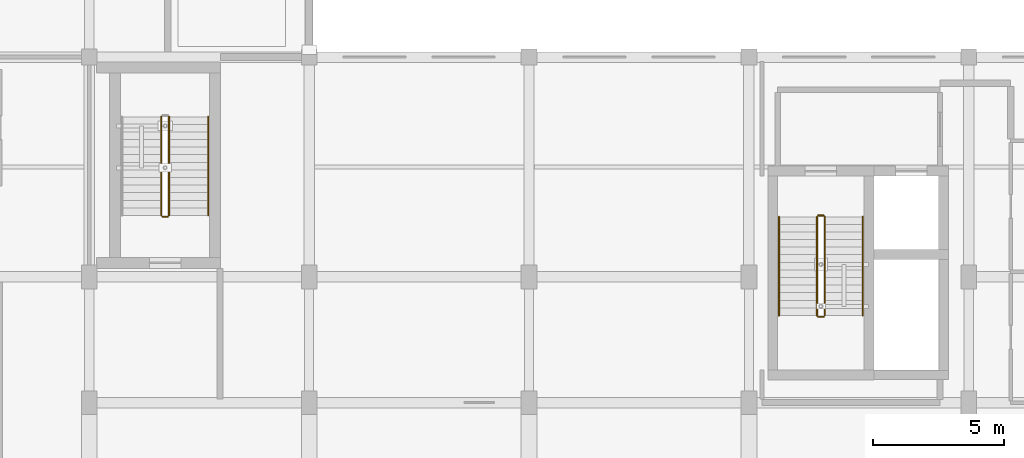
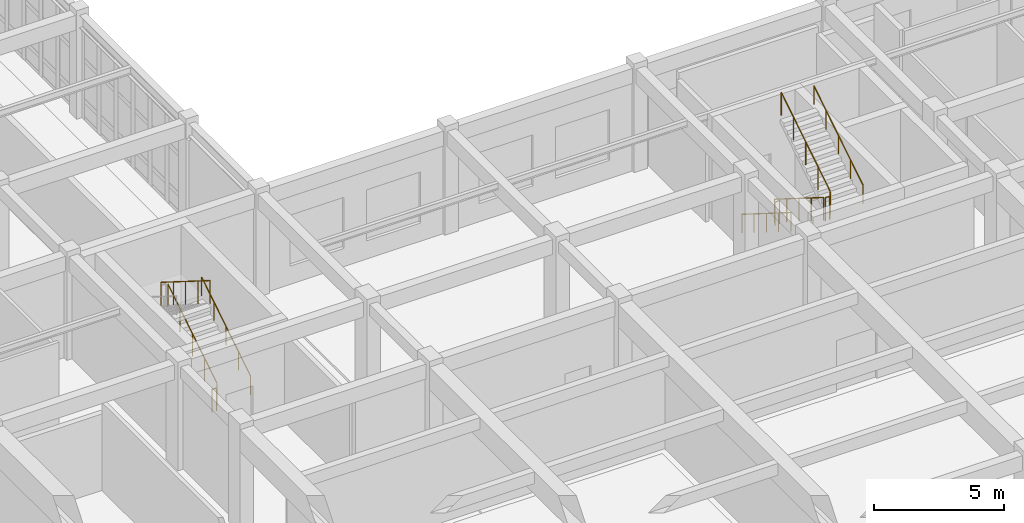
# One storey, part 71 of 77: 10 railings.
"""IFC4 building model written with IfcOpenShell, lengths in metres."""

import ifcopenshell
import ifcopenshell.guid

model = None  # the IFC model being written
_history = None  # IfcOwnerHistory: only IFC2X3 demands one
_inside = {}  # id of a spatial element -> (the spatial element, [elements in it])
_under = {}  # id of a project, library or spatial element -> (it, [spatial elements below it])
_declared = {}  # id of a project -> (the project, [libraries it declares])
_typed = {}  # id of a type object -> (the type object, [elements of that type])
_made_of = {}  # id of a material, layer set ... -> (it, [elements and type objects made of it])


def new_model(schema):
    """Start an empty IFC model of exactly this schema.

    Asked for "IFC4X3", IfcOpenShell would pick the latest addendum, in which some entities
    have other attributes; the version numbers below select the first issue.
    IFC2X3 requires an IfcOwnerHistory on every rooted entity: one is made here for all.
    """
    global model, _history
    if schema == "IFC4X3":
        model = ifcopenshell.file(schema_version=(4, 3, 0, 0))
    else:
        model = ifcopenshell.file(schema=schema)
    _inside.clear()
    _under.clear()
    _declared.clear()
    _typed.clear()
    _made_of.clear()
    _history = None
    if model.schema == "IFC2X3":
        org = make("IfcOrganization", Name="unknown")
        user = make(
            "IfcPersonAndOrganization",
            ThePerson=make("IfcPerson", FamilyName="unknown"),
            TheOrganization=org,
        )
        app = make(
            "IfcApplication",
            ApplicationDeveloper=org,
            Version="unknown",
            ApplicationFullName="unknown",
            ApplicationIdentifier="unknown",
        )
        _history = make(
            "IfcOwnerHistory",
            OwningUser=user,
            OwningApplication=app,
            ChangeAction="ADDED",
            CreationDate=0,
        )
    return model


def make(cls, **values):
    """One entity of the class cls with the attributes given. An attribute that is None is left unset."""
    return model.create_entity(
        cls, **{name: value for name, value in values.items() if value is not None}
    )


def rooted(cls, **values):
    """An entity with a GlobalId (a new one), such as an element, a storey or a relation."""
    return make(cls, GlobalId=ifcopenshell.guid.new(), OwnerHistory=_history, **values)


def si_unit(unit_type, name, prefix=None):
    """IfcSIUnit, for example si_unit("LENGTHUNIT", "METRE", prefix="MILLI")."""
    return make("IfcSIUnit", UnitType=unit_type, Prefix=prefix, Name=name)


def assignment(units):
    """IfcUnitAssignment: the units of a project."""
    return None if units is None else make("IfcUnitAssignment", Units=units)


def point(xyz):
    """IfcCartesianPoint."""
    return None if xyz is None else make("IfcCartesianPoint", Coordinates=xyz)


def direction(xyz):
    """IfcDirection."""
    return None if xyz is None else make("IfcDirection", DirectionRatios=xyz)


def frame(location, z_axis=None, x_axis=None):
    """IfcAxis2Placement3D, a coordinate frame: its origin and axes. An axis left out is left unset."""
    return make(
        "IfcAxis2Placement3D",
        Location=point(location),
        Axis=direction(z_axis),
        RefDirection=direction(x_axis),
    )


def frame_2d(location, x_axis=None):
    """IfcAxis2Placement2D, a coordinate frame in the plane: its origin and x axis."""
    return make(
        "IfcAxis2Placement2D", Location=point(location), RefDirection=direction(x_axis)
    )


def origin():
    """The frame at (0, 0, 0) with its axes left unset."""
    return frame((0.0, 0.0, 0.0))


def origin_2d():
    """The frame at (0, 0) in the plane with its x axis left unset."""
    return frame_2d((0.0, 0.0))


def place(relative_to, where):
    """IfcLocalPlacement: puts the frame where relative to a parent placement (None: the world)."""
    return make(
        "IfcLocalPlacement", PlacementRelTo=relative_to, RelativePlacement=where
    )


def context(
    kind, dimensions, precision=None, world=None, true_north=None, identifier=None
):
    """IfcGeometricRepresentationContext, for example the 3D "Model" context."""
    return make(
        "IfcGeometricRepresentationContext",
        ContextIdentifier=identifier,
        ContextType=kind,
        CoordinateSpaceDimension=dimensions,
        Precision=precision,
        WorldCoordinateSystem=world,
        TrueNorth=true_north,
    )


def subcontext(parent, identifier, kind, view, scale=None):
    """IfcGeometricRepresentationSubContext, for example "Body" below "Model"."""
    return make(
        "IfcGeometricRepresentationSubContext",
        ContextIdentifier=identifier,
        ContextType=kind,
        ParentContext=parent,
        TargetScale=scale,
        TargetView=view,
    )


def project(units=None, contexts=None):
    """IfcProject with its units and contexts."""
    return rooted(
        "IfcProject",
        Name="project",
        RepresentationContexts=contexts,
        UnitsInContext=assignment(units),
    )


def spatial(cls, under=None, at=None, **own):
    """A site, building, storey or space (cls), placed at a placement, below another one or the project."""
    s = rooted(cls, ObjectPlacement=at, **own)
    if under is not None:
        _under.setdefault(under.id(), (under, []))[1].append(s)
    return s


def profile(cls, at=None, kind="AREA", **sizes):
    """A parametric profile (cls). Its sizes go by their IFC names, for example OverallWidth=200.0."""
    return make(cls, ProfileType=kind, Position=at, **sizes)


def circle(**sizes):
    """IfcCircleProfileDef."""
    return profile("IfcCircleProfileDef", **sizes)


def extrude(swept, where, along, depth):
    """IfcExtrudedAreaSolid: the profile swept, set in the frame where, extruded along a direction by depth."""
    return make(
        "IfcExtrudedAreaSolid",
        SweptArea=swept,
        Position=where,
        ExtrudedDirection=direction(along),
        Depth=depth,
    )


def shape(context_of_items, identifier, shape_type, items):
    """IfcShapeRepresentation: the items that make up one representation, for example the "Body"."""
    return make(
        "IfcShapeRepresentation",
        ContextOfItems=context_of_items,
        RepresentationIdentifier=identifier,
        RepresentationType=shape_type,
        Items=items,
    )


def material(Name=None, Category=None):
    """IfcMaterial."""
    return make("IfcMaterial", Name=Name, Category=Category)


def made_of(thing, what):
    """Note that an element or type object is made of a material, layer set ...; save() writes the relation."""
    if what is not None:
        _made_of.setdefault(what.id(), (what, []))[1].append(thing)
    return thing


def type_object(cls, material=None, **own):
    """A type object (cls), such as IfcWallType, which elements share."""
    return made_of(rooted(cls, **own), material)


def element(
    cls,
    number,
    at=None,
    inside=None,
    cuts=None,
    type_object=None,
    material=None,
    context=None,
    identifier="Body",
    shape_type=None,
    held_by="IfcProductDefinitionShape",
    body=None,
    shapes=None,
    **own,
):
    """One element of the class cls, such as IfcWall. Its Tag is "e" and its number.

    at: its placement. inside: the storey or other place that contains it. cuts: it is an
    opening in that element (IfcRelVoidsElement). A single representation is given by context,
    identifier, shape_type and body (its items); several are given by shapes. held_by: the class
    of the entity that holds the representations. save() writes the other relations.
    """
    e = rooted(cls, Tag="e%d" % number, ObjectPlacement=at, **own)
    if body is not None:
        shapes = [shape(context, identifier, shape_type, body)]
    if shapes is not None:
        e.Representation = make(held_by, Representations=shapes)
    if inside is not None:
        _inside.setdefault(inside.id(), (inside, []))[1].append(e)
    if cuts is not None:
        rooted(
            "IfcRelVoidsElement", RelatingBuildingElement=cuts, RelatedOpeningElement=e
        )
    if type_object is not None:
        _typed.setdefault(type_object.id(), (type_object, []))[1].append(e)
    return made_of(e, material)


def aggregate(whole, parts):
    """IfcRelAggregates: a whole, such as a stair, and the parts it consists of."""
    return rooted("IfcRelAggregates", RelatingObject=whole, RelatedObjects=parts)


def save(model, path):
    """Write the relations noted so far, then the file.

    IfcRelAggregates (storeys below a building ...), IfcRelContainedInSpatialStructure (elements
    in a storey), IfcRelDefinesByType, IfcRelAssociatesMaterial and IfcRelDeclares: one each for
    every whole, place, type object, material and project.
    """
    for whole, parts in _under.values():
        aggregate(whole, parts)
    for where, things in _inside.values():
        rooted(
            "IfcRelContainedInSpatialStructure",
            RelatedElements=things,
            RelatingStructure=where,
        )
    for kind, things in _typed.values():
        rooted("IfcRelDefinesByType", RelatedObjects=things, RelatingType=kind)
    for what, things in _made_of.values():
        rooted("IfcRelAssociatesMaterial", RelatedObjects=things, RelatingMaterial=what)
    for by, libraries in _declared.values():
        rooted("IfcRelDeclares", RelatingContext=by, RelatedDefinitions=libraries)
    model.write(path)


model = new_model("IFC4")

# Units and contexts
model_context = context("Model", 3, precision=1e-05, world=origin(), true_north=direction((0.0, 1.0)))
body_context = subcontext(model_context, "Body", "Model", "MODEL_VIEW")
ifc_project = project(units=[si_unit("LENGTHUNIT", "METRE"), si_unit("AREAUNIT", "SQUARE_METRE"), si_unit("VOLUMEUNIT", "CUBIC_METRE"), si_unit("PLANEANGLEUNIT", "RADIAN"), si_unit("MASSUNIT", "GRAM", prefix="KILO")], contexts=[model_context])

# Site, building, storey
site_placement = place(None, origin())
site = spatial("IfcSite", under=ifc_project, at=site_placement, CompositionType="ELEMENT")
building_placement = place(site_placement, origin())
building = spatial("IfcBuilding", under=site, at=building_placement, Name="Krzemoval Escarpment Law Courts", CompositionType="ELEMENT")
storey_placement = place(building_placement, frame((0.0, 0.0, 15.300048828125)))
storey = spatial("IfcBuildingStorey", under=building, at=storey_placement, Name="L03", CompositionType="ELEMENT", Elevation=15.300048828125)

# Railings
ifc_material_1 = material(Name="Galvanised Steel S355", Category="steel")
railing_type_1 = type_object("IfcRailingType", Name="RL-GRD-1100", PredefinedType="GUARDRAIL", material=ifc_material_1)
railing_1_placement = place(storey_placement, frame((61.39990234375, 29.300048828125, 0.18212890625)))
element("IfcRailing", 1, at=railing_1_placement, inside=storey, type_object=railing_type_1, Name="L03 ST4 stair guard 1", PredefinedType="GUARDRAIL", context=body_context, shape_type="SweptSolid", body=[
    extrude(circle(Radius=0.02392578125, at=origin_2d()), frame((0.0, 0.0, 1.076171875), z_axis=(0.0, -0.846819337722, 0.53188063441), x_axis=(1.0, 0.0, 0.0)), (0.0, 0.0, 1.0), 4.451904296875),
    extrude(circle(Radius=0.02099609375, at=origin_2d()), origin(), (0.0, 0.0, 1.0), 1.052001953125),
    extrude(circle(Radius=0.02099609375, at=origin_2d()), frame((0.0, -0.9423828125, 0.592041015625)), (0.0, 0.0, 1.0), 1.052001953125),
    extrude(circle(Radius=0.02099609375, at=origin_2d()), frame((0.0, -1.885009765625, 1.18408203125)), (0.0, 0.0, 1.0), 1.052001953125),
    extrude(circle(Radius=0.02099609375, at=origin_2d()), frame((0.0, -2.82763671875, 1.77587890625)), (0.0, 0.0, 1.0), 1.052001953125),
    extrude(circle(Radius=0.02099609375, at=origin_2d()), frame((0.0, -3.77001953125, 2.367919921875)), (0.0, 0.0, 1.0), 1.052001953125),
])
railing_2_placement = place(storey_placement, frame((61.449951171875, 25.47998046875, 2.550048828125)))
element("IfcRailing", 2, at=railing_2_placement, inside=storey, type_object=railing_type_1, Name="L03 ST4 stair guard 2", PredefinedType="GUARDRAIL", context=body_context, shape_type="SweptSolid", body=[
    extrude(circle(Radius=0.02392578125, at=origin_2d()), frame((0.0, 0.0, 1.076171875), z_axis=(1.0, 0.0, 0.0), x_axis=(0.0, 1.0, 0.0)), (0.0, 0.0, 1.0), 0.199951171875),
    extrude(circle(Radius=0.02099609375, at=origin_2d()), origin(), (0.0, 0.0, 1.0), 1.052001953125),
    extrude(circle(Radius=0.02099609375, at=origin_2d()), frame((0.199951171875, 0.0, 0.0)), (0.0, 0.0, 1.0), 1.052001953125),
])
railing_3_placement = place(storey_placement, frame((61.699951171875, 25.530029296875, 2.732177734375)))
element("IfcRailing", 3, at=railing_3_placement, inside=storey, type_object=railing_type_1, Name="L03 ST4 stair guard 3", PredefinedType="GUARDRAIL", context=body_context, shape_type="SweptSolid", body=[
    extrude(circle(Radius=0.02392578125, at=origin_2d()), frame((0.0, 0.0, 1.076171875), z_axis=(0.0, 0.846844037257, 0.531841307688), x_axis=(-1.0, 0.0, 0.0)), (0.0, 0.0, 1.0), 4.451904296875),
    extrude(circle(Radius=0.02099609375, at=origin_2d()), origin(), (0.0, 0.0, 1.0), 1.052001953125),
    extrude(circle(Radius=0.02099609375, at=origin_2d()), frame((0.0, 0.9423828125, 0.591796875)), (0.0, 0.0, 1.0), 1.052001953125),
    extrude(circle(Radius=0.02099609375, at=origin_2d()), frame((0.0, 1.885009765625, 1.183837890625)), (0.0, 0.0, 1.0), 1.052001953125),
    extrude(circle(Radius=0.02099609375, at=origin_2d()), frame((0.0, 2.82763671875, 1.77587890625)), (0.0, 0.0, 1.0), 1.052001953125),
    extrude(circle(Radius=0.02099609375, at=origin_2d()), frame((0.0, 3.77001953125, 2.36767578125)), (0.0, 0.0, 1.0), 1.052001953125),
])
railing_4_placement = place(storey_placement, frame((61.449951171875, 29.35009765625, 0.0)))
element("IfcRailing", 4, at=railing_4_placement, inside=storey, type_object=railing_type_1, Name="L03 ST4 stair guard 4", PredefinedType="GUARDRAIL", context=body_context, shape_type="SweptSolid", body=[
    extrude(circle(Radius=0.02392578125, at=origin_2d()), frame((0.0, 0.0, 1.076171875), z_axis=(1.0, 0.0, 0.0), x_axis=(0.0, 1.0, 0.0)), (0.0, 0.0, 1.0), 0.199951171875),
    extrude(circle(Radius=0.02099609375, at=origin_2d()), origin(), (0.0, 0.0, 1.0), 1.052001953125),
    extrude(circle(Radius=0.02099609375, at=origin_2d()), frame((0.199951171875, 0.0, 0.0)), (0.0, 0.0, 1.0), 1.052001953125),
])
railing_5_placement = place(storey_placement, frame((36.64990234375, 29.35009765625, 0.18212890625)))
element("IfcRailing", 5, at=railing_5_placement, inside=storey, type_object=railing_type_1, Name="L03 ST9 stair guard 1", PredefinedType="GUARDRAIL", context=body_context, shape_type="SweptSolid", body=[
    extrude(circle(Radius=0.02392578125, at=origin_2d()), frame((0.0, 0.0, 1.076171875), z_axis=(0.0, 0.846819337722, 0.53188063441), x_axis=(-1.0, 0.0, 0.0)), (0.0, 0.0, 1.0), 4.451904296875),
    extrude(circle(Radius=0.02099609375, at=origin_2d()), origin(), (0.0, 0.0, 1.0), 1.052001953125),
    extrude(circle(Radius=0.02099609375, at=origin_2d()), frame((0.0, 0.9423828125, 0.592041015625)), (0.0, 0.0, 1.0), 1.052001953125),
    extrude(circle(Radius=0.02099609375, at=origin_2d()), frame((0.0, 1.885009765625, 1.18408203125)), (0.0, 0.0, 1.0), 1.052001953125),
    extrude(circle(Radius=0.02099609375, at=origin_2d()), frame((0.0, 2.82763671875, 1.77587890625)), (0.0, 0.0, 1.0), 1.052001953125),
    extrude(circle(Radius=0.02099609375, at=origin_2d()), frame((0.0, 3.77001953125, 2.367919921875)), (0.0, 0.0, 1.0), 1.052001953125),
])
railing_6_placement = place(storey_placement, frame((36.35009765625, 33.1201171875, 2.732177734375)))
element("IfcRailing", 6, at=railing_6_placement, inside=storey, type_object=railing_type_1, Name="L03 ST9 stair guard 3", PredefinedType="GUARDRAIL", context=body_context, shape_type="SweptSolid", body=[
    extrude(circle(Radius=0.02392578125, at=origin_2d()), frame((0.0, 0.0, 1.076171875), z_axis=(0.0, -0.846844037257, 0.531841307688), x_axis=(1.0, 0.0, 0.0)), (0.0, 0.0, 1.0), 4.451904296875),
    extrude(circle(Radius=0.02099609375, at=origin_2d()), origin(), (0.0, 0.0, 1.0), 1.052001953125),
    extrude(circle(Radius=0.02099609375, at=origin_2d()), frame((0.0, -0.9423828125, 0.591796875)), (0.0, 0.0, 1.0), 1.052001953125),
    extrude(circle(Radius=0.02099609375, at=origin_2d()), frame((0.0, -1.885009765625, 1.183837890625)), (0.0, 0.0, 1.0), 1.052001953125),
    extrude(circle(Radius=0.02099609375, at=origin_2d()), frame((0.0, -2.82763671875, 1.77587890625)), (0.0, 0.0, 1.0), 1.052001953125),
    extrude(circle(Radius=0.02099609375, at=origin_2d()), frame((0.0, -3.77001953125, 2.36767578125)), (0.0, 0.0, 1.0), 1.052001953125),
])
railing_7_placement = place(storey_placement, frame((36.60009765625, 29.300048828125, 0.0)))
element("IfcRailing", 7, at=railing_7_placement, inside=storey, type_object=railing_type_1, Name="L03 ST9 stair guard 4", PredefinedType="GUARDRAIL", context=body_context, shape_type="SweptSolid", body=[
    extrude(circle(Radius=0.02392578125, at=origin_2d()), frame((0.0, 0.0, 1.076171875), z_axis=(-1.0, 0.0, 0.0), x_axis=(0.0, -1.0, 0.0)), (0.0, 0.0, 1.0), 0.2001953125),
    extrude(circle(Radius=0.02099609375, at=origin_2d()), origin(), (0.0, 0.0, 1.0), 1.052001953125),
    extrude(circle(Radius=0.02099609375, at=origin_2d()), frame((-0.2001953125, 0.0, 0.0)), (0.0, 0.0, 1.0), 1.052001953125),
])
ifc_material_2 = material(Name="Brushed Stainless Steel Grade 304 Handrail", Category="steel")
railing_type_2 = type_object("IfcRailingType", Name="RL-HND-900", PredefinedType="HANDRAIL", material=ifc_material_2)
railing_8_placement = place(storey_placement, frame((59.949951171875, 29.300048828125, 0.18212890625)))
element("IfcRailing", 8, at=railing_8_placement, inside=storey, type_object=railing_type_2, Name="L03 ST4 stair handrail 1", PredefinedType="HANDRAIL", context=body_context, shape_type="SweptSolid", body=[
    extrude(circle(Radius=0.02392578125, at=origin_2d()), frame((0.0, 0.0, 0.8759765625), z_axis=(0.0, -0.846819337722, 0.53188063441), x_axis=(1.0, 0.0, 0.0)), (0.0, 0.0, 1.0), 4.451904296875),
    extrude(circle(Radius=0.02099609375, at=origin_2d()), origin(), (0.0, 0.0, 1.0), 0.851806640625),
    extrude(circle(Radius=0.02099609375, at=origin_2d()), frame((0.0, -0.9423828125, 0.592041015625)), (0.0, 0.0, 1.0), 0.851806640625),
    extrude(circle(Radius=0.02099609375, at=origin_2d()), frame((0.0, -1.885009765625, 1.18408203125)), (0.0, 0.0, 1.0), 0.851806640625),
    extrude(circle(Radius=0.02099609375, at=origin_2d()), frame((0.0, -2.82763671875, 1.77587890625)), (0.0, 0.0, 1.0), 0.851806640625),
    extrude(circle(Radius=0.02099609375, at=origin_2d()), frame((0.0, -3.77001953125, 2.367919921875)), (0.0, 0.0, 1.0), 0.851806640625),
])
railing_9_placement = place(storey_placement, frame((63.14990234375, 25.530029296875, 2.732177734375)))
element("IfcRailing", 9, at=railing_9_placement, inside=storey, type_object=railing_type_2, Name="L03 ST4 stair handrail 2", PredefinedType="HANDRAIL", context=body_context, shape_type="SweptSolid", body=[
    extrude(circle(Radius=0.02392578125, at=origin_2d()), frame((0.0, 0.0, 0.8759765625), z_axis=(0.0, 0.846844037257, 0.531841307688), x_axis=(-1.0, 0.0, 0.0)), (0.0, 0.0, 1.0), 4.451904296875),
    extrude(circle(Radius=0.02099609375, at=origin_2d()), origin(), (0.0, 0.0, 1.0), 0.851806640625),
    extrude(circle(Radius=0.02099609375, at=origin_2d()), frame((0.0, 0.9423828125, 0.591796875)), (0.0, 0.0, 1.0), 0.851806640625),
    extrude(circle(Radius=0.02099609375, at=origin_2d()), frame((0.0, 1.885009765625, 1.183837890625)), (0.0, 0.0, 1.0), 0.851806640625),
    extrude(circle(Radius=0.02099609375, at=origin_2d()), frame((0.0, 2.82763671875, 1.77587890625)), (0.0, 0.0, 1.0), 0.851806640625),
    extrude(circle(Radius=0.02099609375, at=origin_2d()), frame((0.0, 3.77001953125, 2.36767578125)), (0.0, 0.0, 1.0), 0.851806640625),
])
railing_10_placement = place(storey_placement, frame((38.14990234375, 29.35009765625, 0.18212890625)))
element("IfcRailing", 10, at=railing_10_placement, inside=storey, type_object=railing_type_2, Name="L03 ST9 stair handrail 1", PredefinedType="HANDRAIL", context=body_context, shape_type="SweptSolid", body=[
    extrude(circle(Radius=0.02392578125, at=origin_2d()), frame((0.0, 0.0, 0.8759765625), z_axis=(0.0, 0.846819337722, 0.53188063441), x_axis=(-1.0, 0.0, 0.0)), (0.0, 0.0, 1.0), 4.451904296875),
    extrude(circle(Radius=0.02099609375, at=origin_2d()), origin(), (0.0, 0.0, 1.0), 0.851806640625),
    extrude(circle(Radius=0.02099609375, at=origin_2d()), frame((0.0, 0.9423828125, 0.592041015625)), (0.0, 0.0, 1.0), 0.851806640625),
    extrude(circle(Radius=0.02099609375, at=origin_2d()), frame((0.0, 1.885009765625, 1.18408203125)), (0.0, 0.0, 1.0), 0.851806640625),
    extrude(circle(Radius=0.02099609375, at=origin_2d()), frame((0.0, 2.82763671875, 1.77587890625)), (0.0, 0.0, 1.0), 0.851806640625),
    extrude(circle(Radius=0.02099609375, at=origin_2d()), frame((0.0, 3.77001953125, 2.367919921875)), (0.0, 0.0, 1.0), 0.851806640625),
])

save(model, "model.ifc")
